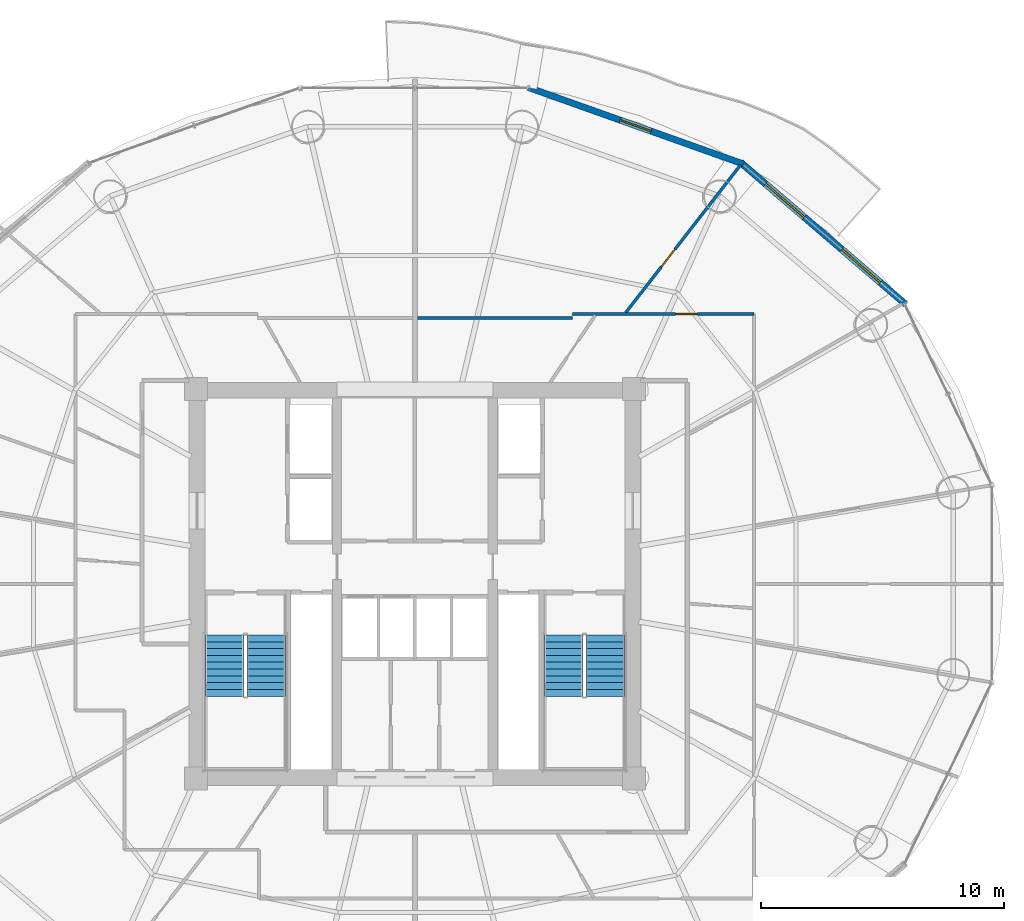
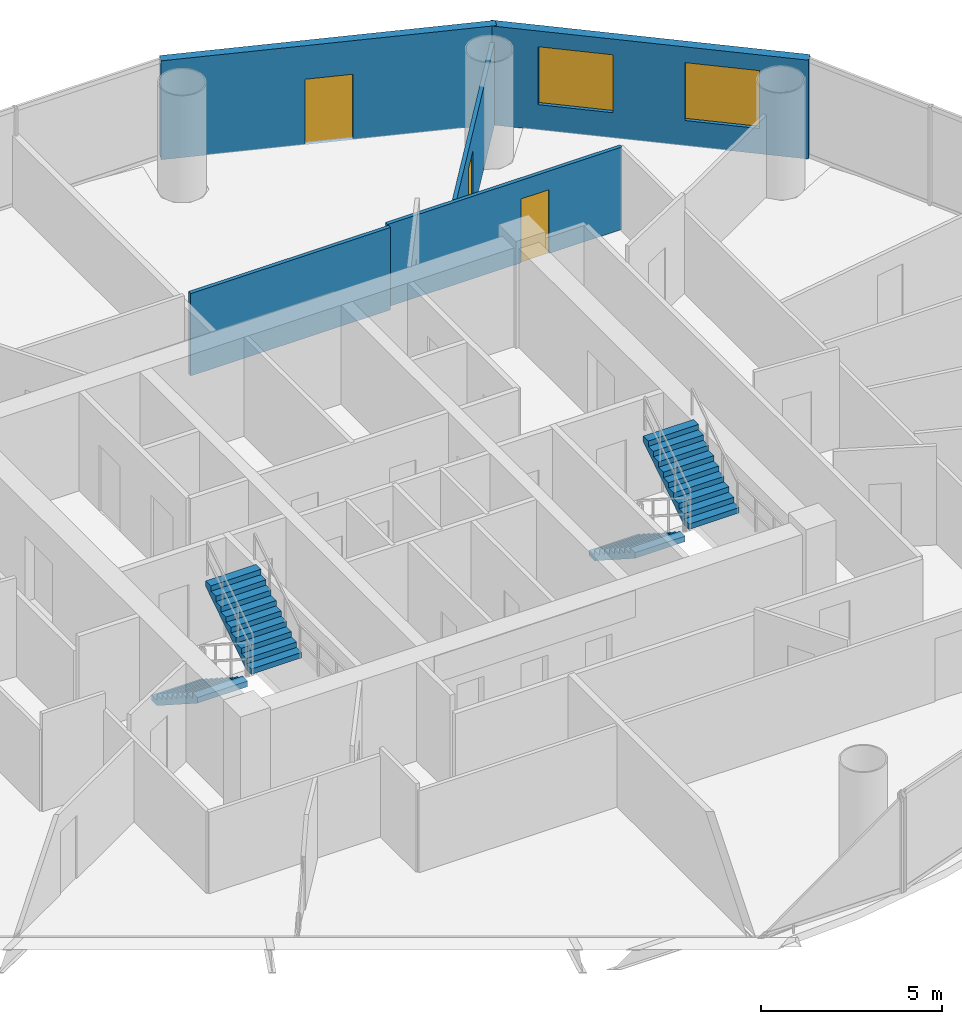
# One storey, part 23 of 26: 5 walls, 4 stair flights, 3 doors, 2 windows, 5 openings, 2 elements without a shape of their own.
"""IFC4 building model written with IfcOpenShell, lengths in metres."""

from ifc_helpers import new_model, si_unit, direction, frame, frame_2d, origin, place, context, subcontext, project, spatial, polyline, rectangle, outline, extrude, source, transform, mapped, material, layer, layer_set, type_object, element, fill, aggregate, save


model = new_model("IFC4")

# Units and contexts
model_context = context("Model", 3, precision=1e-05, world=origin(), true_north=direction((-0.2419218956, 0.970295726276)))
body_context = subcontext(model_context, "Body", "Model", "MODEL_VIEW")
ifc_project = project(units=[si_unit("LENGTHUNIT", "METRE"), si_unit("AREAUNIT", "SQUARE_METRE"), si_unit("VOLUMEUNIT", "CUBIC_METRE"), si_unit("PLANEANGLEUNIT", "RADIAN"), si_unit("MASSUNIT", "GRAM", prefix="KILO")], contexts=[model_context])

# Site, building, storey
site_placement = place(None, origin())
site = spatial("IfcSite", under=ifc_project, at=site_placement, CompositionType="ELEMENT")
building_placement = place(site_placement, origin())
building = spatial("IfcBuilding", under=site, at=building_placement, Name="Cobrevalo Terracotta Tower", CompositionType="ELEMENT")
storey_placement = place(building_placement, frame((0.0, 0.0, 175.0)))
storey = spatial("IfcBuildingStorey", under=building, at=storey_placement, Name="L46", CompositionType="ELEMENT", Elevation=175.0)

# Wall, openings, windows
ifc_material_1 = material(Name="Autoclaved aerated concrete block", Category="concrete")
ifc_layer_1 = layer(ifc_material_1, 0.280029296875)
ifc_layer_set_1 = layer_set([ifc_layer_1], Name="Autoclaved aerated concrete block")
wall_type_1 = type_object("IfcWallType", Name="Insulated tower spandrel & pier wall 280 mm with terracotta rainscreen", PredefinedType="SOLIDWALL", material=ifc_layer_set_1)
wall_1_placement = place(storey_placement, frame((58.1572265625, 38.287109375, 0.0), z_axis=(0.0, 0.0, 1.0), x_axis=(-0.75843401647, 0.651749831348, 0.0)))
wall_1 = element("IfcWall", 1, at=wall_1_placement, inside=storey, type_object=wall_type_1, Name="L46 terracotta rainscreen pier wall S02", PredefinedType="SOLIDWALL", context=body_context, shape_type="SweptSolid", body=[
    extrude(rectangle(XDim=8.952392578125, YDim=0.280029296875, at=frame_2d((4.47607421875, 0.0))), origin(), (0.0, 0.0, 1.0), 3.330078125),
])
opening_1_placement = place(wall_1_placement, frame((1.3671875, 0.0, 0.85009765625)))
opening_1 = element("IfcOpeningElement", 2, at=opening_1_placement, cuts=wall_1, Name="Opening WN-10", PredefinedType="OPENING", context=body_context, shape_type="SweptSolid", body=[
    extrude(rectangle(XDim=2.10009765625, YDim=1.949951171875, at=frame_2d((1.050048828125, 0.97509765625))), frame((0.0, 0.14990234375, 0.0), z_axis=(0.0, -1.0, 0.0), x_axis=(1.0, 0.0, 0.0)), (0.0, 0.0, 1.0), 0.300048828125),
])
opening_2_placement = place(wall_1_placement, frame((5.4853515625, 0.0, 0.85009765625)))
opening_2 = element("IfcOpeningElement", 3, at=opening_2_placement, cuts=wall_1, Name="Opening WN-10", PredefinedType="OPENING", context=body_context, shape_type="SweptSolid", body=[
    extrude(rectangle(XDim=2.10009765625, YDim=1.949951171875, at=frame_2d((1.050048828125, 0.97509765625))), frame((0.0, 0.14990234375, 0.0), z_axis=(0.0, -1.0, 0.0), x_axis=(1.0, 0.0, 0.0)), (0.0, 0.0, 1.0), 0.300048828125),
])
ifc_material_2 = material(Name="Solar-control low-E double glazing", Category="glass")
window_type = type_object("IfcWindowType", Name="Wide panoramic low-E aluminium window 2100x1950", PartitioningType="SINGLE_PANEL", PredefinedType="WINDOW", material=ifc_material_2)
shared_shape_1 = source(origin(), body_context, "Body", "SweptSolid", [
    extrude(rectangle(XDim=2.10009765625, YDim=1.949951171875, at=frame_2d((1.050048828125, 0.97509765625))), frame((0.0, 0.030029296875, 0.0), z_axis=(0.0, -1.0, 0.0), x_axis=(1.0, 0.0, 0.0)), (0.0, 0.0, 1.0), 0.06005859375),
])
window_1_placement = place(opening_1_placement, origin())
window_1 = element("IfcWindow", 4, at=window_1_placement, inside=storey, type_object=window_type, Name="L46 suite window S02A", OverallHeight=1.949951171875, OverallWidth=2.10009765625, PartitioningType="SINGLE_PANEL", PredefinedType="WINDOW", context=body_context, shape_type="MappedRepresentation", body=[
    mapped(shared_shape_1, transform((0.0, 0.0, 0.0), scale=1.0)),
])
fill(opening_1, window_1)
window_2_placement = place(opening_2_placement, origin())
window_2 = element("IfcWindow", 5, at=window_2_placement, inside=storey, type_object=window_type, Name="L46 suite window S02B", OverallHeight=1.949951171875, OverallWidth=2.10009765625, PartitioningType="SINGLE_PANEL", PredefinedType="WINDOW", context=body_context, shape_type="MappedRepresentation", body=[
    mapped(shared_shape_1, transform((0.0, 0.0, 0.0), scale=1.0)),
])
fill(opening_2, window_2)

# Wall, opening, door
ifc_layer_2 = layer(ifc_material_1, 0.260009765625)
ifc_layer_set_2 = layer_set([ifc_layer_2], Name="Autoclaved aerated concrete block")
wall_type_2 = type_object("IfcWallType", Name="Recessed balcony loggia insulated exterior wall 260 mm", PredefinedType="SOLIDWALL", material=ifc_layer_set_2)
wall_2_placement = place(storey_placement, frame((51.50341796875, 44.042724609375, 0.0), z_axis=(0.0, 0.0, 1.0), x_axis=(-0.942095406405, 0.335344964522, 0.0)))
wall_2 = element("IfcWall", 6, at=wall_2_placement, inside=storey, type_object=wall_type_2, Name="L46 balcony loggia wall S03", PredefinedType="SOLIDWALL", context=body_context, shape_type="SweptSolid", body=[
    extrude(rectangle(XDim=9.408203125, YDim=0.260009765625, at=frame_2d((4.7041015625, 0.0))), origin(), (0.0, 0.0, 1.0), 3.330078125),
])
opening_3_placement = place(wall_2_placement, frame((4.029052734375, 0.0, 0.0)))
opening_3 = element("IfcOpeningElement", 7, at=opening_3_placement, cuts=wall_2, Name="Opening ED-05", PredefinedType="OPENING", context=body_context, shape_type="SweptSolid", body=[
    extrude(rectangle(XDim=1.35009765625, YDim=2.199951171875, at=frame_2d((0.675048828125, 1.10009765625))), frame((0.0, 0.14013671875, 0.0), z_axis=(0.0, -1.0, 0.0), x_axis=(1.0, 0.0, 0.0)), (0.0, 0.0, 1.0), 0.280029296875),
])
ifc_material_3 = material(Name="Anodized aluminium and laminated glass", Category="aluminium")
door_type_1 = type_object("IfcDoorType", Name="Suite balcony acoustic glazed terrace door 1350x2200", OperationType="NOTDEFINED", PredefinedType="DOOR", material=ifc_material_3)
shared_shape_2 = source(origin(), body_context, "Body", "SweptSolid", [
    extrude(rectangle(XDim=1.35009765625, YDim=2.199951171875, at=frame_2d((0.675048828125, 1.10009765625))), frame((0.0, 0.02490234375, 0.0), z_axis=(0.0, -1.0, 0.0), x_axis=(1.0, 0.0, 0.0)), (0.0, 0.0, 1.0), 0.050048828125),
])
door_1_placement = place(opening_3_placement, frame((1.35009765625, 0.0, 0.0), z_axis=(0.0, 0.0, 1.0), x_axis=(-1.0, 0.0, 0.0)))
door_1 = element("IfcDoor", 8, at=door_1_placement, inside=storey, type_object=door_type_1, Name="L46 glazed balcony terrace door 1", OperationType="SINGLE_SWING_LEFT", OverallHeight=2.199951171875, OverallWidth=1.35009765625, PredefinedType="DOOR", context=body_context, shape_type="MappedRepresentation", body=[
    mapped(shared_shape_2, transform((0.0, 0.0, 0.0), scale=1.0)),
])
fill(opening_3, door_1)

# Wall
ifc_material_4 = material(Name="Gypsum board on steel stud", Category="steel")
ifc_layer_3 = layer(ifc_material_4, 0.1201171875)
ifc_layer_set_3 = layer_set([ifc_layer_3], Name="Gypsum board on steel stud")
wall_type_3 = type_object("IfcWallType", Name="Residential internal acoustic stud partition 120 mm", PredefinedType="PARTITIONING", material=ifc_layer_set_3)
wall_3_placement = place(storey_placement, frame((38.10205078125, 37.72509765625, 0.0), z_axis=(0.0, 0.0, 1.0), x_axis=(1.0, 0.0, 0.0)))
element("IfcWall", 9, at=wall_3_placement, inside=storey, type_object=wall_type_3, Name="L46 interior partition IW-L46-U2-RING0_0", PredefinedType="PARTITIONING", context=body_context, shape_type="SweptSolid", body=[
    extrude(rectangle(XDim=6.363037109375, YDim=0.1201171875, at=frame_2d((3.181640625, 0.0))), origin(), (0.0, 0.0, 1.0), 2.77587890625),
])

# Wall, opening, door
wall_4_placement = place(storey_placement, frame((44.465087890625, 37.885009765625, 0.0), z_axis=(0.0, 0.0, 1.0), x_axis=(1.0, 0.0, 0.0)))
wall_4 = element("IfcWall", 10, at=wall_4_placement, inside=storey, type_object=wall_type_3, Name="L46 interior partition IW-L46-U2-RING2_0", PredefinedType="PARTITIONING", context=body_context, shape_type="SweptSolid", body=[
    extrude(rectangle(XDim=7.469970703125, YDim=0.1201171875, at=frame_2d((3.73486328125, 0.0))), origin(), (0.0, 0.0, 1.0), 2.77587890625),
])
opening_4_placement = place(wall_4_placement, frame((4.2412109375, 0.0, 0.0)))
opening_4 = element("IfcOpeningElement", 11, at=opening_4_placement, cuts=wall_4, Name="Opening ID-12", PredefinedType="OPENING", context=body_context, shape_type="SweptSolid", body=[
    extrude(rectangle(XDim=0.89990234375, YDim=2.14990234375, at=frame_2d((0.449951171875, 1.074951171875))), frame((0.0, 0.070068359375, 0.0), z_axis=(0.0, -1.0, 0.0), x_axis=(1.0, 0.0, 0.0)), (0.0, 0.0, 1.0), 0.14013671875),
])
ifc_material_5 = material(Name="Engineered timber", Category="wood")
door_type_2 = type_object("IfcDoorType", Name="Internal residence & suite timber door 900x2150", OperationType="NOTDEFINED", PredefinedType="DOOR", material=ifc_material_5)
shared_shape_3 = source(origin(), body_context, "Body", "SweptSolid", [
    extrude(rectangle(XDim=0.89990234375, YDim=2.14990234375, at=frame_2d((0.449951171875, 1.074951171875))), frame((0.0, 0.02490234375, 0.0), z_axis=(0.0, -1.0, 0.0), x_axis=(1.0, 0.0, 0.0)), (0.0, 0.0, 1.0), 0.050048828125),
])
door_2_placement = place(opening_4_placement, origin())
door_2 = element("IfcDoor", 12, at=door_2_placement, inside=storey, type_object=door_type_2, Name="Flat L46B Penthouse Family Lounge internal door", OperationType="SINGLE_SWING_LEFT", OverallHeight=2.14990234375, OverallWidth=0.89990234375, PredefinedType="DOOR", context=body_context, shape_type="MappedRepresentation", body=[
    mapped(shared_shape_3, transform((0.0, 0.0, 0.0), scale=1.0)),
])
fill(opening_4, door_2)

wall_5_placement = place(storey_placement, frame((46.655517578125, 37.933837890625, 0.0), z_axis=(0.0, 0.0, 1.0), x_axis=(0.613758289074, 0.789493991487, 0.0)))
wall_5 = element("IfcWall", 13, at=wall_5_placement, inside=storey, type_object=wall_type_3, Name="L46 interior partition IW-L46-U2-ORAD5", PredefinedType="PARTITIONING", context=body_context, shape_type="SweptSolid", body=[
    extrude(rectangle(XDim=7.695068359375, YDim=0.1201171875, at=frame_2d((3.84765625, 0.0))), origin(), (0.0, 0.0, 1.0), 2.77587890625),
])
opening_5_placement = place(wall_5_placement, frame((2.399169921875, 0.0, 0.0)))
opening_5 = element("IfcOpeningElement", 14, at=opening_5_placement, cuts=wall_5, Name="Opening ID-12", PredefinedType="OPENING", context=body_context, shape_type="SweptSolid", body=[
    extrude(rectangle(XDim=0.89990234375, YDim=2.14990234375, at=frame_2d((0.449951171875, 1.074951171875))), frame((0.0, 0.070068359375, 0.0), z_axis=(0.0, -1.0, 0.0), x_axis=(1.0, 0.0, 0.0)), (0.0, 0.0, 1.0), 0.14013671875),
])
door_3_placement = place(opening_5_placement, origin())
door_3 = element("IfcDoor", 15, at=door_3_placement, inside=storey, type_object=door_type_2, Name="Flat L46B Private Cinema Room internal door", OperationType="SINGLE_SWING_RIGHT", OverallHeight=2.14990234375, OverallWidth=0.89990234375, PredefinedType="DOOR", context=body_context, shape_type="MappedRepresentation", body=[
    mapped(shared_shape_3, transform((0.0, 0.0, 0.0), scale=1.0)),
])
fill(opening_5, door_3)

# Stair, stair flights
ifc_material_6 = material(Name="Concrete C50", Category="concrete")
stair_type = type_object("IfcStairType", Name="Core protected escape dogleg stair 1600", PredefinedType="HALF_TURN_STAIR", material=ifc_material_6)
stair_1_placement = place(storey_placement, origin())
stair_1 = element("IfcStair", 16, at=stair_1_placement, inside=storey, type_object=stair_type, Name="L46 Protected exit stair ST-1", PredefinedType="HALF_TURN_STAIR")
stair_flight_type = type_object("IfcStairFlightType", Name="Core protected escape dogleg stair 1600 flight", PredefinedType="STRAIGHT", material=ifc_material_6)
stair_flight_1_placement = place(storey_placement, frame((30.175048828125, 24.699951171875, 0.0), z_axis=(0.0, 0.0, 1.0), x_axis=(0.0, -1.0, 0.0)))
stair_flight_1 = element("IfcStairFlight", 17, at=stair_flight_1_placement, type_object=stair_flight_type, Name="ST-1 flight 1", NumberOfRisers=10, NumberOfTreads=9, PredefinedType="STRAIGHT", RiserHeight=0.18, TreadLength=0.28, context=body_context, shape_type="SweptSolid", body=[
    extrude(outline(polyline([(0.0, 0.0), (0.0, 0.179931640625), (0.280029296875, 0.179931640625), (0.280029296875, 0.360107421875), (0.56005859375, 0.360107421875), (0.56005859375, 0.5400390625), (0.840087890625, 0.5400390625), (0.840087890625, 0.719970703125), (1.1201171875, 0.719970703125), (1.1201171875, 0.89990234375), (1.39990234375, 0.89990234375), (1.39990234375, 1.080078125), (1.679931640625, 1.080078125), (1.679931640625, 1.260009765625), (1.9599609375, 1.260009765625), (1.9599609375, 1.43994140625), (2.239990234375, 1.43994140625), (2.239990234375, 1.6201171875), (2.52001953125, 1.6201171875), (2.52001953125, 1.800048828125), (2.52001953125, 1.429931640625), (0.295654296875, 0.0), (0.0, 0.0)])), frame((0.0, 0.800048828125, 0.0), z_axis=(0.0, -1.0, 0.0), x_axis=(1.0, 0.0, 0.0)), (0.0, 0.0, 1.0), 1.60009765625),
])
stair_flight_2_placement = place(storey_placement, frame((31.89501953125, 22.179931640625, 1.800048828125), z_axis=(0.0, 0.0, 1.0), x_axis=(0.0, 1.0, 0.0)))
stair_flight_2 = element("IfcStairFlight", 18, at=stair_flight_2_placement, type_object=stair_flight_type, Name="ST-1 flight 2", NumberOfRisers=10, NumberOfTreads=9, PredefinedType="STRAIGHT", RiserHeight=0.18, TreadLength=0.28, context=body_context, shape_type="SweptSolid", body=[
    extrude(outline(polyline([(0.0, 0.0), (0.0, 0.179931640625), (0.280029296875, 0.179931640625), (0.280029296875, 0.360107421875), (0.56005859375, 0.360107421875), (0.56005859375, 0.5400390625), (0.840087890625, 0.5400390625), (0.840087890625, 0.719970703125), (1.1201171875, 0.719970703125), (1.1201171875, 0.89990234375), (1.39990234375, 0.89990234375), (1.39990234375, 1.080078125), (1.679931640625, 1.080078125), (1.679931640625, 1.260009765625), (1.9599609375, 1.260009765625), (1.9599609375, 1.43994140625), (2.239990234375, 1.43994140625), (2.239990234375, 1.6201171875), (2.52001953125, 1.6201171875), (2.52001953125, 1.800048828125), (2.52001953125, 1.429931640625), (0.295654296875, 0.0), (0.0, 0.0)])), frame((0.0, 0.800048828125, 0.0), z_axis=(0.0, -1.0, 0.0), x_axis=(1.0, 0.0, 0.0)), (0.0, 0.0, 1.0), 1.60009765625),
])
aggregate(stair_1, [stair_flight_1, stair_flight_2])

stair_2_placement = place(storey_placement, origin())
stair_2 = element("IfcStair", 19, at=stair_2_placement, inside=storey, type_object=stair_type, Name="L46 Protected exit stair ST-2", PredefinedType="HALF_TURN_STAIR")
stair_flight_3_placement = place(storey_placement, frame((44.10498046875, 24.699951171875, 0.0), z_axis=(0.0, 0.0, 1.0), x_axis=(0.0, -1.0, 0.0)))
stair_flight_3 = element("IfcStairFlight", 20, at=stair_flight_3_placement, type_object=stair_flight_type, Name="ST-2 flight 1", NumberOfRisers=10, NumberOfTreads=9, PredefinedType="STRAIGHT", RiserHeight=0.18, TreadLength=0.28, context=body_context, shape_type="SweptSolid", body=[
    extrude(outline(polyline([(0.0, 0.0), (0.0, 0.179931640625), (0.280029296875, 0.179931640625), (0.280029296875, 0.360107421875), (0.56005859375, 0.360107421875), (0.56005859375, 0.5400390625), (0.840087890625, 0.5400390625), (0.840087890625, 0.719970703125), (1.1201171875, 0.719970703125), (1.1201171875, 0.89990234375), (1.39990234375, 0.89990234375), (1.39990234375, 1.080078125), (1.679931640625, 1.080078125), (1.679931640625, 1.260009765625), (1.9599609375, 1.260009765625), (1.9599609375, 1.43994140625), (2.239990234375, 1.43994140625), (2.239990234375, 1.6201171875), (2.52001953125, 1.6201171875), (2.52001953125, 1.800048828125), (2.52001953125, 1.429931640625), (0.295654296875, 0.0), (0.0, 0.0)])), frame((0.0, 0.800048828125, 0.0), z_axis=(0.0, -1.0, 0.0), x_axis=(1.0, 0.0, 0.0)), (0.0, 0.0, 1.0), 1.60009765625),
])
stair_flight_4_placement = place(storey_placement, frame((45.824951171875, 22.179931640625, 1.800048828125), z_axis=(0.0, 0.0, 1.0), x_axis=(0.0, 1.0, 0.0)))
stair_flight_4 = element("IfcStairFlight", 21, at=stair_flight_4_placement, type_object=stair_flight_type, Name="ST-2 flight 2", NumberOfRisers=10, NumberOfTreads=9, PredefinedType="STRAIGHT", RiserHeight=0.18, TreadLength=0.28, context=body_context, shape_type="SweptSolid", body=[
    extrude(outline(polyline([(0.0, 0.0), (0.0, 0.179931640625), (0.280029296875, 0.179931640625), (0.280029296875, 0.360107421875), (0.56005859375, 0.360107421875), (0.56005859375, 0.5400390625), (0.840087890625, 0.5400390625), (0.840087890625, 0.719970703125), (1.1201171875, 0.719970703125), (1.1201171875, 0.89990234375), (1.39990234375, 0.89990234375), (1.39990234375, 1.080078125), (1.679931640625, 1.080078125), (1.679931640625, 1.260009765625), (1.9599609375, 1.260009765625), (1.9599609375, 1.43994140625), (2.239990234375, 1.43994140625), (2.239990234375, 1.6201171875), (2.52001953125, 1.6201171875), (2.52001953125, 1.800048828125), (2.52001953125, 1.429931640625), (0.295654296875, 0.0), (0.0, 0.0)])), frame((0.0, 0.800048828125, 0.0), z_axis=(0.0, -1.0, 0.0), x_axis=(1.0, 0.0, 0.0)), (0.0, 0.0, 1.0), 1.60009765625),
])
aggregate(stair_2, [stair_flight_3, stair_flight_4])

save(model, "model.ifc")
